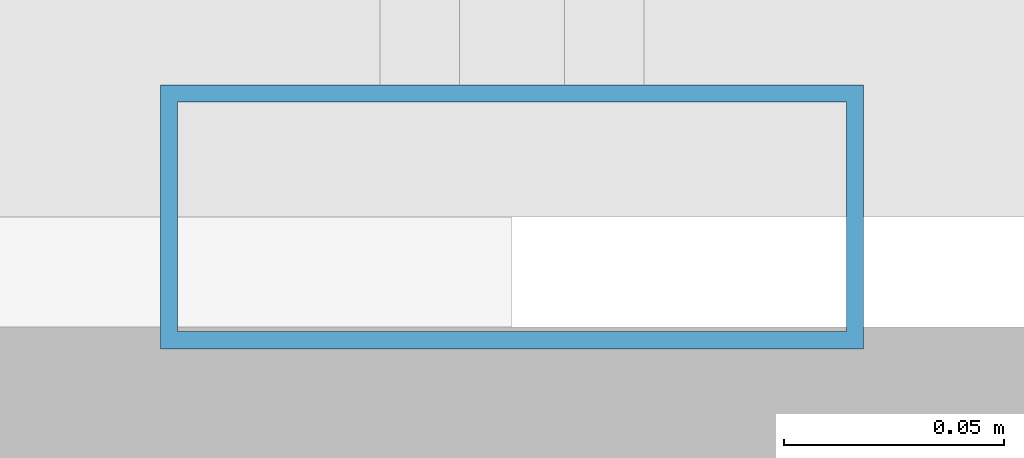
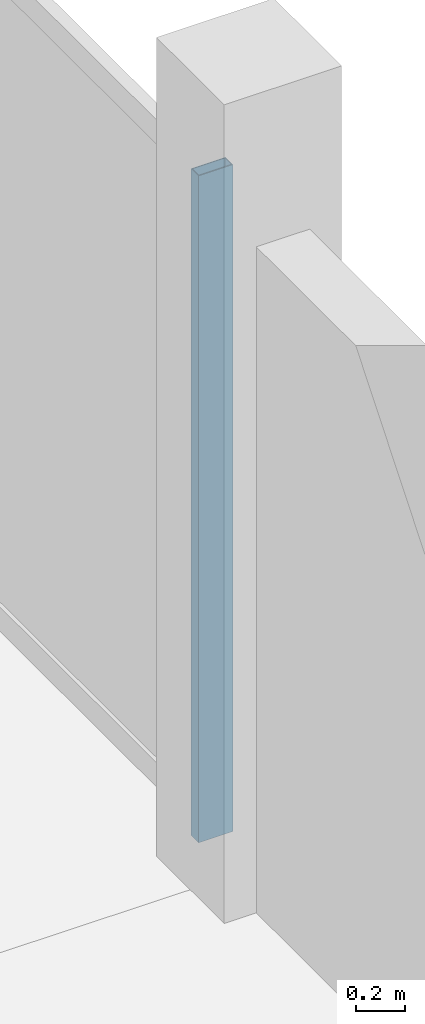
# One storey, part 2 of 15: 1 member, 1 element without a shape of its own.
"""IFC4 building model written with IfcOpenShell, lengths in metres."""

from ifc_helpers import new_model, si_unit, direction, frame, origin, origin_2d, place, context, subcontext, project, spatial, hollow_rectangle, extrude, material, layer, layer_set, material_profile, profile_set, type_object, element, aggregate, save


model = new_model("IFC4")

# Units and contexts
model_context = context("Model", 3, precision=1e-05, world=origin(), true_north=direction((0.0, 1.0)))
body_context = subcontext(model_context, "Body", "Model", "MODEL_VIEW")
ifc_project = project(units=[si_unit("LENGTHUNIT", "METRE"), si_unit("AREAUNIT", "SQUARE_METRE"), si_unit("VOLUMEUNIT", "CUBIC_METRE"), si_unit("PLANEANGLEUNIT", "RADIAN"), si_unit("MASSUNIT", "GRAM", prefix="KILO")], contexts=[model_context])

# Site, building, storey
site_placement = place(None, origin())
site = spatial("IfcSite", under=ifc_project, at=site_placement, CompositionType="ELEMENT")
building_placement = place(site_placement, origin())
building = spatial("IfcBuilding", under=site, at=building_placement, Name="Kangsadwip Square Police Headquarters", CompositionType="ELEMENT")
storey_placement = place(building_placement, frame((0.0, 0.0, 29.699951171875)))
storey = spatial("IfcBuildingStorey", under=building, at=storey_placement, Name="L07", CompositionType="ELEMENT", Elevation=29.699951171875)

# Curtain wall, member
ifc_material_1 = material(Name="Thermally broken anodised aluminium AW-6063-T6", Category="aluminium")
ifc_layer = layer(ifc_material_1, 0.159912109375)
ifc_layer_set = layer_set([ifc_layer], Name="Thermally broken anodised aluminium AW-6063-T6")
curtain_wall_type = type_object("IfcCurtainWallType", Name="CourtScreen6685x3300", PredefinedType="USERDEFINED", material=ifc_layer_set)
curtain_wall_placement = place(storey_placement, origin())
curtain_wall = element("IfcCurtainWall", 1, at=curtain_wall_placement, inside=storey, type_object=curtain_wall_type, Name="Curtain Wall CW-L07-0216-0651", ObjectType="GLAZED_SCREEN", PredefinedType="USERDEFINED")
ifc_material_2 = material(Name="Thermally broken anodised aluminium AW-6063-T6", Category="aluminium")
ifc_material_profile = material_profile(ifc_material_2, hollow_rectangle(XDim=0.06005859375, YDim=0.159912109375, WallThickness=0.00390625, at=origin_2d()), Name="CWM 160X60X4")
ifc_profile_set = profile_set([ifc_material_profile], Name="Thermally broken anodised aluminium AW-6063-T6")
member_type = type_object("IfcMemberType", Name="CwMullion135x60", PredefinedType="MULLION", material=ifc_profile_set)
member_placement = place(storey_placement, frame((21.60009765625, 65.10009765625, 0.0), z_axis=(0.0, 0.0, 1.0), x_axis=(0.0, 1.0, 0.0)))
member = element("IfcMember", 2, at=member_placement, type_object=member_type, Name="CW-53 mullion 1", PredefinedType="MULLION", context=body_context, shape_type="SweptSolid", body=[
    extrude(hollow_rectangle(XDim=0.06005859375, YDim=0.159912109375, WallThickness=0.00390625, at=origin_2d()), origin(), (0.0, 0.0, 1.0), 3.300048828125),
])
aggregate(curtain_wall, [member])

save(model, "model.ifc")
